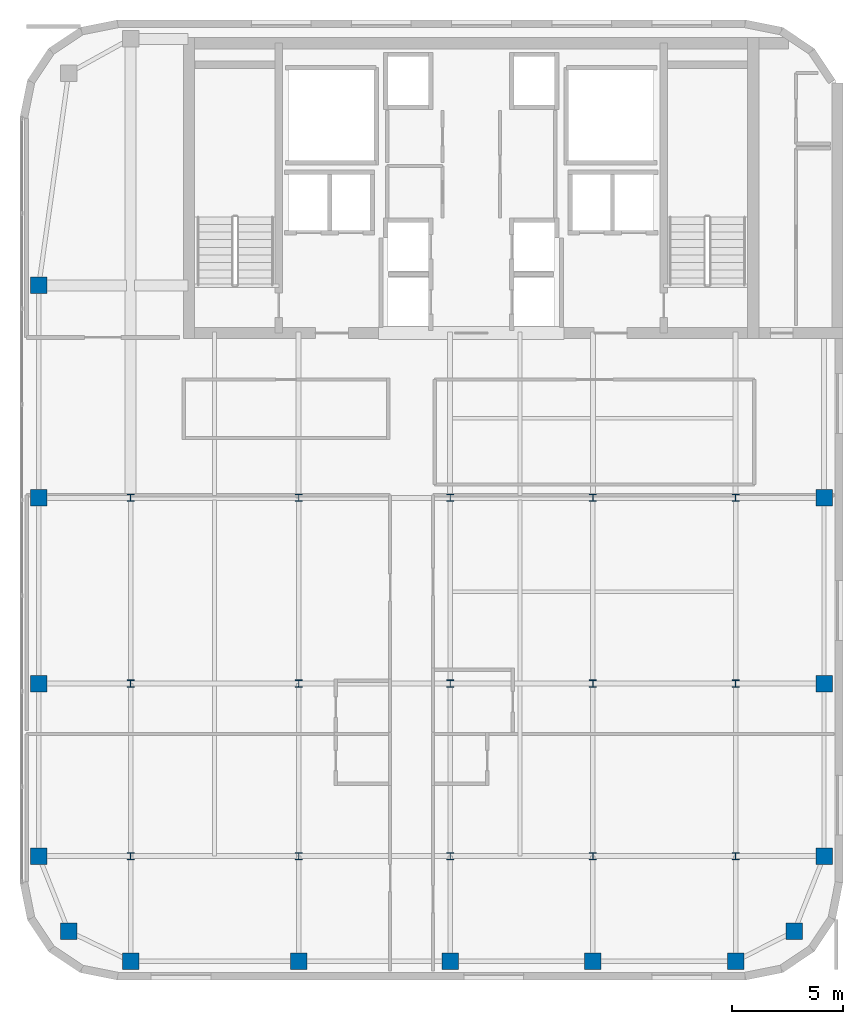
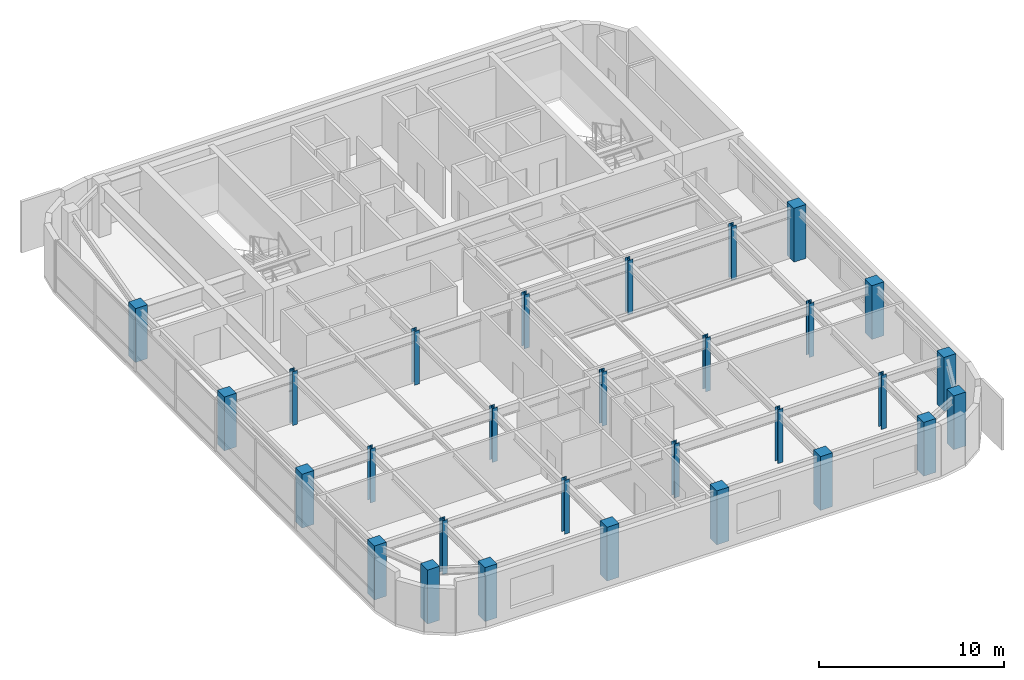
# One storey, part 1 of 19: 29 columns.
"""IFC4 building model written with IfcOpenShell, lengths in metres."""

from ifc_helpers import new_model, si_unit, direction, frame, origin, origin_2d, place, context, subcontext, project, spatial, rectangle, i_section, extrude, source, transform, mapped, material, material_profile, profile_set, type_object, type_shapes, element, save


model = new_model("IFC4")

# Units and contexts
model_context = context("Model", 3, precision=1e-05, world=origin(), true_north=direction((0.0, 1.0)))
body_context = subcontext(model_context, "Body", "Model", "MODEL_VIEW")
ifc_project = project(units=[si_unit("LENGTHUNIT", "METRE"), si_unit("AREAUNIT", "SQUARE_METRE"), si_unit("VOLUMEUNIT", "CUBIC_METRE"), si_unit("PLANEANGLEUNIT", "RADIAN"), si_unit("MASSUNIT", "GRAM", prefix="KILO")], contexts=[model_context])

# Site, building, storey
site_placement = place(None, origin())
site = spatial("IfcSite", under=ifc_project, at=site_placement, CompositionType="ELEMENT")
building_placement = place(site_placement, origin())
building = spatial("IfcBuilding", under=site, at=building_placement, Name="Tolvann Quenvar Hotel", CompositionType="ELEMENT")
storey_placement = place(building_placement, frame((0.0, 0.0, 223.89990234375)))
storey = spatial("IfcBuildingStorey", under=building, at=storey_placement, Name="L59", CompositionType="ELEMENT", Elevation=223.89990234375)

# Columns
ifc_material_1 = material(Name="Concrete N50 (50 MPa)", Category="concrete")
ifc_material_profile_1 = material_profile(ifc_material_1, rectangle(XDim=0.75, YDim=0.75, at=origin_2d()), Name="RC750x750")
ifc_profile_set_1 = profile_set([ifc_material_profile_1], Name="Concrete N50 (50 MPa)")
column_type_1 = type_object("IfcColumnType", Name="COL_RC750", PredefinedType="COLUMN", material=ifc_profile_set_1)
shared_shape_1 = source(origin(), body_context, "Body", "SweptSolid", [
    extrude(rectangle(XDim=0.75, YDim=0.75, at=origin_2d()), origin(), (0.0, 0.0, 1.0), 3.550048828125),
])
type_shapes(column_type_1, [shared_shape_1])
for number, where, z_axis, x_axis, name in (
    (1, (4.800048828125, 4.800048828125, 0.0), (0.0, 0.0, 1.0), (1.0, 0.0, 0.0), "Column B2 (L59)"),
    (2, (3.449951171875, 8.199951171875, 0.0), (0.0, 0.0, 1.0), (1.0, 0.0, 0.0), "Column B3 (L59)"),
    (3, (3.449951171875, 16.0, 0.0), (0.0, 0.0, 1.0), (1.0, 0.0, 0.0), "Column B4 (L59)"),
    (4, (3.449951171875, 24.39990234375, 0.0), (0.0, 0.0, 1.0), (1.0, 0.0, 0.0), "Column B5 (L59)"),
    (5, (7.60009765625, 3.449951171875, 0.0), (0.0, 0.0, 1.0), (1.0, 0.0, 0.0), "Column C2 (L59)"),
    (6, (15.199951171875, 3.449951171875, 0.0), (0.0, 0.0, 1.0), (1.0, 0.0, 0.0), "Column D2 (L59)"),
    (7, (22.050048828125, 3.449951171875, 0.0), (0.0, 0.0, 1.0), (1.0, 0.0, 0.0), "Column E2 (L59)"),
    (8, (28.5, 3.449951171875, 0.0), (0.0, 0.0, 1.0), (1.0, 0.0, 0.0), "Column M2 (L59)"),
    (9, (34.949951171875, 3.449951171875, 0.0), (0.0, 0.0, 1.0), (1.0, 0.0, 0.0), "Column F2 (L59)"),
    (10, (37.60009765625, 4.800048828125, 0.0), (0.0, 0.0, 1.0), (1.0, 0.0, 0.0), "Column G2 (L59)"),
    (11, (38.949951171875, 8.199951171875, 0.0), (0.0, 0.0, 1.0), (1.0, 0.0, 0.0), "Column G3 (L59)"),
    (12, (38.949951171875, 16.0, 0.0), (0.0, 0.0, 1.0), (1.0, 0.0, 0.0), "Column G4 (L59)"),
    (13, (38.949951171875, 24.39990234375, 0.0), (0.0, 0.0, 1.0), (1.0, 0.0, 0.0), "Column G5 (L59)"),
    (14, (3.449951171875, 34.0, 0.0), (0.0, 0.0, 1.0), (1.0, 0.0, 0.0), "Column BD6 (L59)"),
):
    element("IfcColumn", number, at=place(storey_placement, frame(where, z_axis=z_axis, x_axis=x_axis)), inside=storey, type_object=column_type_1, Name=name, PredefinedType="COLUMN", context=body_context, shape_type="MappedRepresentation", body=[
        mapped(shared_shape_1, transform((0.0, 0.0, 0.0), x_axis=(1.0, 0.0, 0.0), y_axis=(0.0, 1.0, 0.0), z_axis=(0.0, 0.0, 1.0), scale=1.0)),
    ])
ifc_material_2 = material(Name="Steel Grade 350", Category="steel")
ifc_material_profile_2 = material_profile(ifc_material_2, i_section(OverallWidth=0.31103515625, OverallDepth=0.326904296875, WebThickness=0.015625, FlangeThickness=0.02490234375, FilletRadius=0.0166015625, at=origin_2d()), Name="310UC158")
ifc_profile_set_2 = profile_set([ifc_material_profile_2], Name="Steel Grade 350")
column_type_2 = type_object("IfcColumnType", Name="COL_310UC158", PredefinedType="COLUMN", material=ifc_profile_set_2)
shared_shape_2 = source(origin(), body_context, "Body", "SweptSolid", [
    extrude(i_section(OverallWidth=0.31103515625, OverallDepth=0.326904296875, WebThickness=0.015625, FlangeThickness=0.02490234375, FilletRadius=0.0166015625, at=origin_2d()), origin(), (0.0, 0.0, 1.0), 3.550048828125),
])
type_shapes(column_type_2, [shared_shape_2])
for number, where, z_axis, x_axis, name in (
    (15, (7.60009765625, 8.199951171875, 0.0), (0.0, 0.0, 1.0), (1.0, 0.0, 0.0), "Column C3 (L59)"),
    (16, (7.60009765625, 16.0, 0.0), (0.0, 0.0, 1.0), (1.0, 0.0, 0.0), "Column C4 (L59)"),
    (17, (7.60009765625, 24.39990234375, 0.0), (0.0, 0.0, 1.0), (1.0, 0.0, 0.0), "Column C5 (L59)"),
    (18, (15.199951171875, 8.199951171875, 0.0), (0.0, 0.0, 1.0), (1.0, 0.0, 0.0), "Column D3 (L59)"),
    (19, (15.199951171875, 16.0, 0.0), (0.0, 0.0, 1.0), (1.0, 0.0, 0.0), "Column D4 (L59)"),
    (20, (15.199951171875, 24.39990234375, 0.0), (0.0, 0.0, 1.0), (1.0, 0.0, 0.0), "Column D5 (L59)"),
    (21, (22.050048828125, 8.199951171875, 0.0), (0.0, 0.0, 1.0), (1.0, 0.0, 0.0), "Column E3 (L59)"),
    (22, (22.050048828125, 16.0, 0.0), (0.0, 0.0, 1.0), (1.0, 0.0, 0.0), "Column E4 (L59)"),
    (23, (22.050048828125, 24.39990234375, 0.0), (0.0, 0.0, 1.0), (1.0, 0.0, 0.0), "Column E5 (L59)"),
    (24, (28.5, 8.199951171875, 0.0), (0.0, 0.0, 1.0), (1.0, 0.0, 0.0), "Column M3 (L59)"),
    (25, (28.5, 16.0, 0.0), (0.0, 0.0, 1.0), (1.0, 0.0, 0.0), "Column M4 (L59)"),
    (26, (28.5, 24.39990234375, 0.0), (0.0, 0.0, 1.0), (1.0, 0.0, 0.0), "Column M5 (L59)"),
    (27, (34.949951171875, 8.199951171875, 0.0), (0.0, 0.0, 1.0), (1.0, 0.0, 0.0), "Column F3 (L59)"),
    (28, (34.949951171875, 16.0, 0.0), (0.0, 0.0, 1.0), (1.0, 0.0, 0.0), "Column F4 (L59)"),
    (29, (34.949951171875, 24.39990234375, 0.0), (0.0, 0.0, 1.0), (1.0, 0.0, 0.0), "Column F5 (L59)"),
):
    element("IfcColumn", number, at=place(storey_placement, frame(where, z_axis=z_axis, x_axis=x_axis)), inside=storey, type_object=column_type_2, Name=name, PredefinedType="COLUMN", context=body_context, shape_type="MappedRepresentation", body=[
        mapped(shared_shape_2, transform((0.0, 0.0, 0.0), x_axis=(1.0, 0.0, 0.0), y_axis=(0.0, 1.0, 0.0), z_axis=(0.0, 0.0, 1.0), scale=1.0)),
    ])

save(model, "model.ifc")
